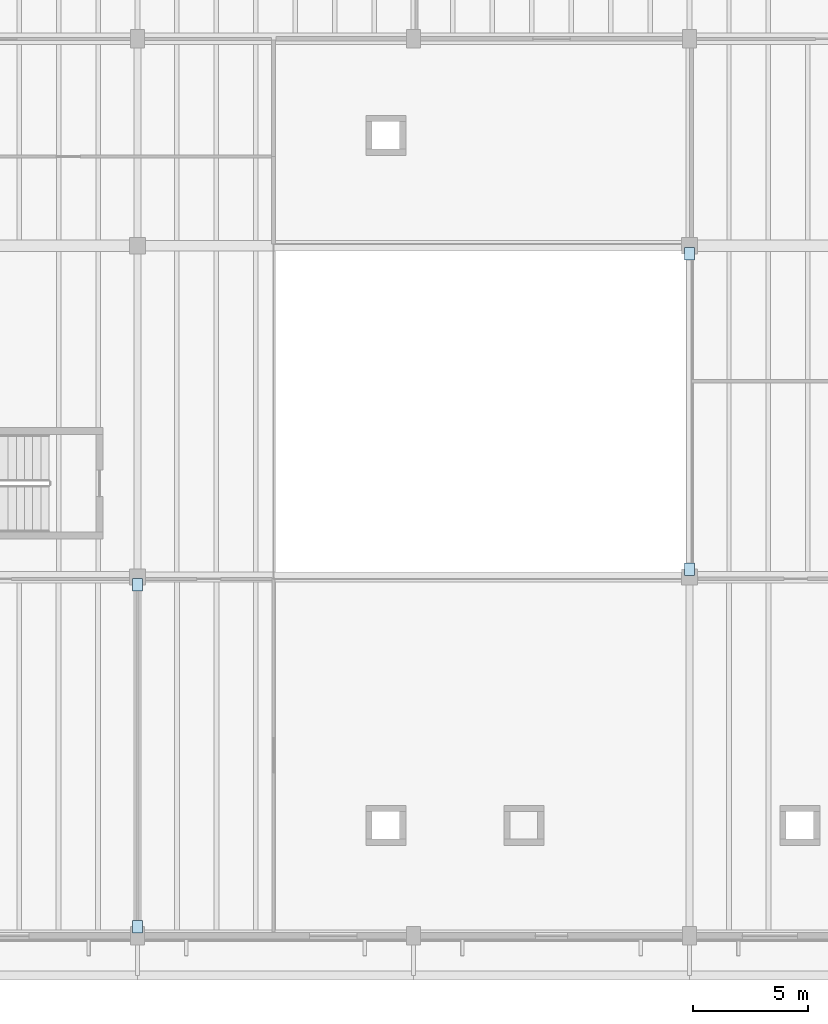
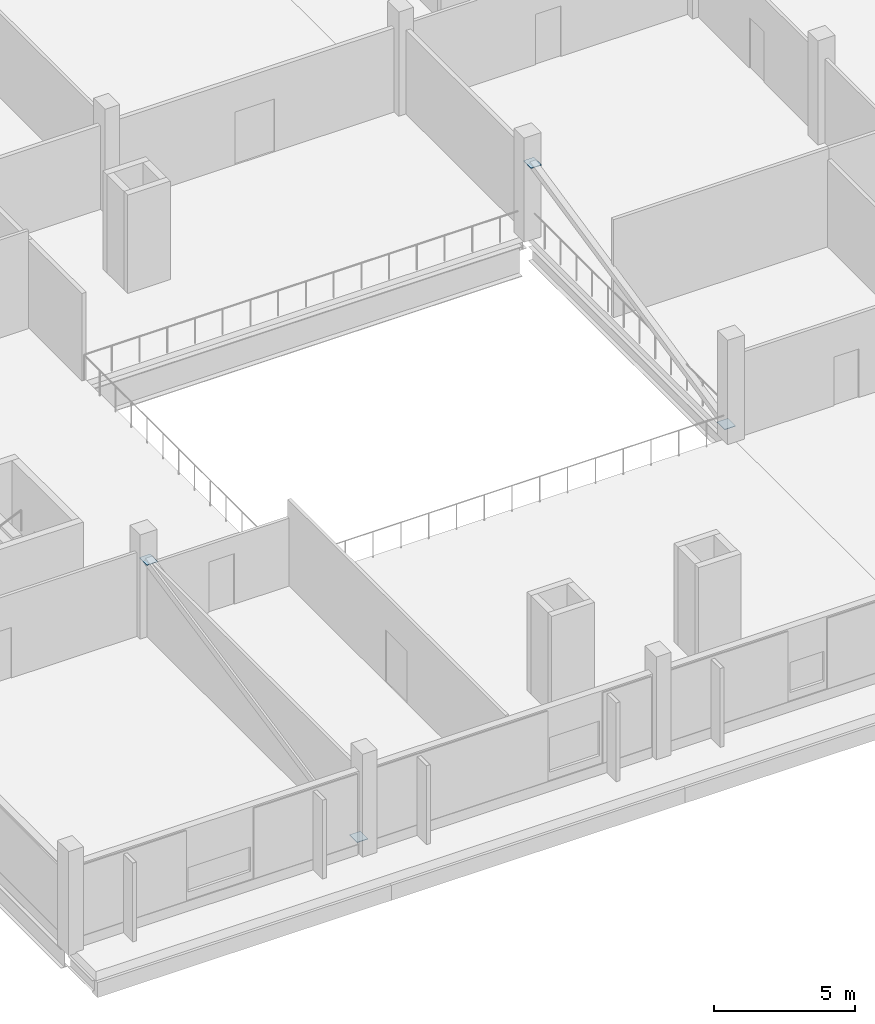
# One storey, part 86 of 114: 4 plates.
"""IFC4 building model written with IfcOpenShell, lengths in metres."""

from ifc_helpers import new_model, si_unit, direction, frame, origin, origin_2d, place, context, subcontext, project, spatial, rectangle, extrude, material, layer, layer_set, type_object, element, save


model = new_model("IFC4")

# Units and contexts
model_context = context("Model", 3, precision=1e-05, world=origin(), true_north=direction((0.0, 1.0)))
body_context = subcontext(model_context, "Body", "Model", "MODEL_VIEW")
ifc_project = project(units=[si_unit("LENGTHUNIT", "METRE"), si_unit("AREAUNIT", "SQUARE_METRE"), si_unit("VOLUMEUNIT", "CUBIC_METRE"), si_unit("PLANEANGLEUNIT", "RADIAN"), si_unit("MASSUNIT", "GRAM", prefix="KILO")], contexts=[model_context])

# Site, building, storey
site_placement = place(None, origin())
site = spatial("IfcSite", under=ifc_project, at=site_placement, CompositionType="ELEMENT")
building_placement = place(site_placement, origin())
building = spatial("IfcBuilding", under=site, at=building_placement, Name="Kelmvaro Bay Concert Hall", CompositionType="ELEMENT")
storey_placement = place(building_placement, frame((0.0, 0.0, 4.800048828125)))
storey = spatial("IfcBuildingStorey", under=building, at=storey_placement, Name="L01", CompositionType="ELEMENT", Elevation=4.800048828125)

# Plates
ifc_material = material(Name="Steel ASTM A572 Grade 50", Category="steel")
ifc_layer = layer(ifc_material, 0.02392578125)
ifc_layer_set = layer_set([ifc_layer], Name="Steel ASTM A572 Grade 50")
plate_type = type_object("IfcPlateType", Name="Lateral Brace Node Gusset Plate 540x440x24", PredefinedType="SHEET", material=ifc_layer_set)
for number, where, z_axis, x_axis, name in (
    (1, (12.0, 0.38916015625, 0.3359375), (0.0, 0.0, 1.0), (0.0, 1.0, 0.0), "L01 Lateral Diagonal Brace V3-W End Cap Plate 1 (ND-04)"),
    (2, (12.0, 15.2607421875, 3.2900390625), (0.0, 0.0, 1.0), (0.0, 1.0, 0.0), "L01 Lateral Diagonal Brace V3-W End Cap Plate 2 (ND-04)"),
    (3, (36.0, 15.939208984375, 0.335693359375), (0.0, 0.0, 1.0), (0.0, 1.0, 0.0), "L01 Lateral Diagonal Brace V3-E End Cap Plate 1 (ND-04)"),
    (4, (36.0, 29.66064453125, 3.290283203125), (0.0, 0.0, 1.0), (0.0, 1.0, 0.0), "L01 Lateral Diagonal Brace V3-E End Cap Plate 2 (ND-04)"),
):
    element("IfcPlate", number, at=place(storey_placement, frame(where, z_axis=z_axis, x_axis=x_axis)), inside=storey, type_object=plate_type, Name=name, PredefinedType="SHEET", context=body_context, shape_type="SweptSolid", body=[
        extrude(rectangle(XDim=0.5400390625, YDim=0.43994140625, at=origin_2d()), origin(), (0.0, 0.0, 1.0), 0.02392578125),
    ])

save(model, "model.ifc")
